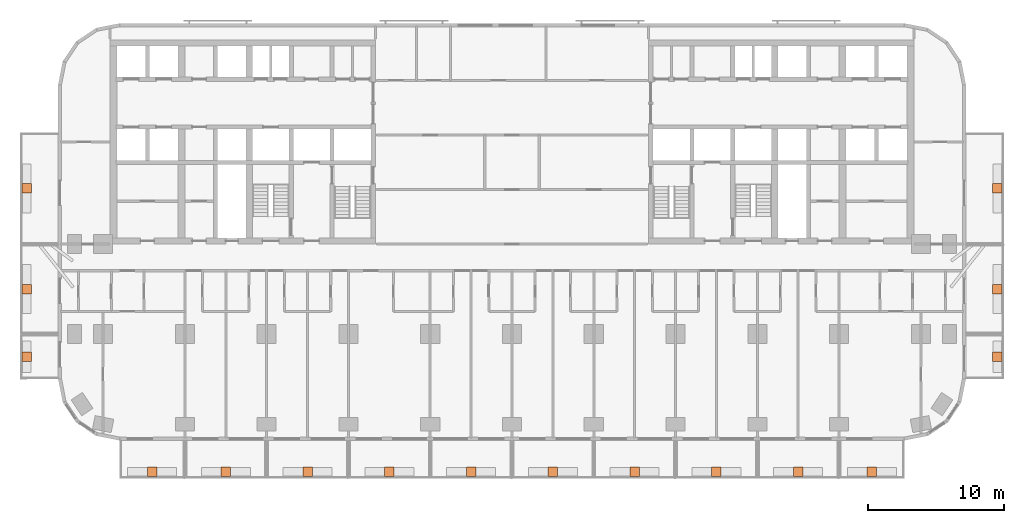
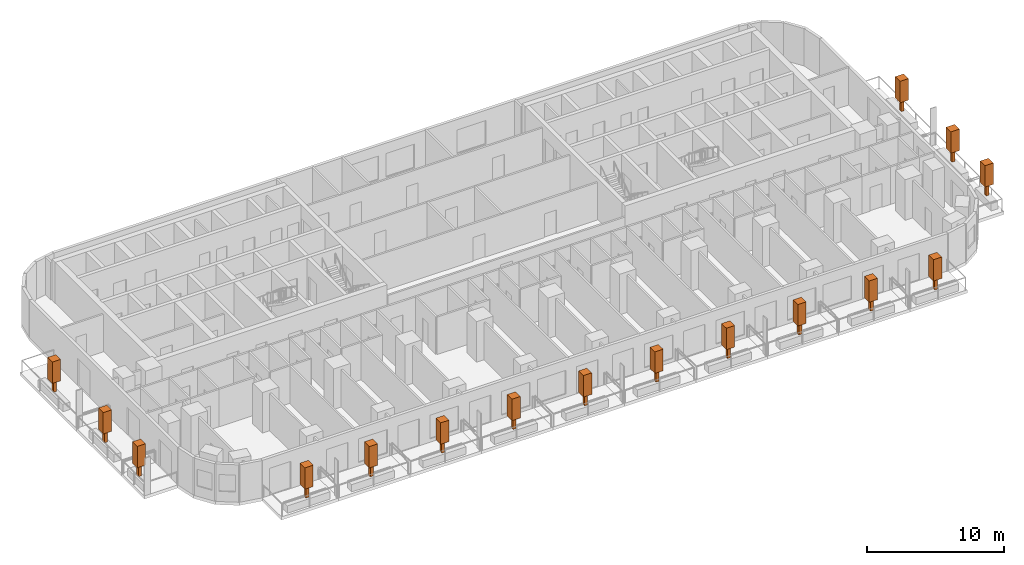
# One storey, part 15 of 15: 16 geographic elements.
"""IFC4 building model written with IfcOpenShell, lengths in metres."""

from ifc_helpers import new_model, si_unit, direction, frame, origin, origin_2d, place, context, subcontext, project, spatial, rectangle, extrude, material, element, save


model = new_model("IFC4")

# Units and contexts
model_context = context("Model", 3, precision=1e-05, world=origin(), true_north=direction((0.0, 1.0)))
body_context = subcontext(model_context, "Body", "Model", "MODEL_VIEW")
ifc_project = project(units=[si_unit("LENGTHUNIT", "METRE"), si_unit("AREAUNIT", "SQUARE_METRE"), si_unit("VOLUMEUNIT", "CUBIC_METRE"), si_unit("PLANEANGLEUNIT", "RADIAN"), si_unit("MASSUNIT", "GRAM", prefix="KILO")], contexts=[model_context])

# Site, building, storey
site_placement = place(None, origin())
site = spatial("IfcSite", under=ifc_project, at=site_placement, CompositionType="ELEMENT")
building_placement = place(site_placement, origin())
building = spatial("IfcBuilding", under=site, at=building_placement, Name="Torana Hotel and Residences", CompositionType="ELEMENT")
storey_placement = place(building_placement, frame((0.0, 0.0, 24.0)))
storey = spatial("IfcBuildingStorey", under=building, at=storey_placement, Name="L04", CompositionType="ELEMENT", Elevation=24.0)

# Geographic elements
ifc_material = material(Name="Foliage", Category="planting")
for number, where, z_axis, x_axis, name in (
    (1, (-26.39990234375, -31.699951171875, 0.64990234375), (0.0, 0.0, 1.0), (1.0, 0.0, 0.0), "Tree 01"),
    (2, (-21.0, -31.699951171875, 0.64990234375), (0.0, 0.0, 1.0), (1.0, 0.0, 0.0), "Tree 02"),
    (3, (-15.0, -31.699951171875, 0.64990234375), (0.0, 0.0, 1.0), (1.0, 0.0, 0.0), "Tree 03"),
    (4, (-9.0, -31.699951171875, 0.64990234375), (0.0, 0.0, 1.0), (1.0, 0.0, 0.0), "Tree 04"),
    (5, (-3.0, -31.699951171875, 0.64990234375), (0.0, 0.0, 1.0), (1.0, 0.0, 0.0), "Tree 05"),
    (6, (3.0, -31.699951171875, 0.64990234375), (0.0, 0.0, 1.0), (1.0, 0.0, 0.0), "Tree 06"),
    (7, (9.0, -31.699951171875, 0.64990234375), (0.0, 0.0, 1.0), (1.0, 0.0, 0.0), "Tree 07"),
    (8, (15.0, -31.699951171875, 0.64990234375), (0.0, 0.0, 1.0), (1.0, 0.0, 0.0), "Tree 08"),
    (9, (21.0, -31.699951171875, 0.64990234375), (0.0, 0.0, 1.0), (1.0, 0.0, 0.0), "Tree 09"),
    (10, (26.39990234375, -31.699951171875, 0.64990234375), (0.0, 0.0, 1.0), (1.0, 0.0, 0.0), "Tree 10"),
    (11, (-35.60009765625, -23.25, 0.64990234375), (0.0, 0.0, 1.0), (1.0, 0.0, 0.0), "Tree 11"),
    (12, (-35.60009765625, -18.300048828125, 0.64990234375), (0.0, 0.0, 1.0), (1.0, 0.0, 0.0), "Tree 12"),
    (13, (-35.60009765625, -10.89990234375, 0.64990234375), (0.0, 0.0, 1.0), (1.0, 0.0, 0.0), "Tree 13"),
    (14, (35.60009765625, -23.25, 0.64990234375), (0.0, 0.0, 1.0), (1.0, 0.0, 0.0), "Tree 14"),
    (15, (35.60009765625, -18.300048828125, 0.64990234375), (0.0, 0.0, 1.0), (1.0, 0.0, 0.0), "Tree 15"),
    (16, (35.60009765625, -10.89990234375, 0.64990234375), (0.0, 0.0, 1.0), (1.0, 0.0, 0.0), "Tree 16"),
):
    element("IfcGeographicElement", number, at=place(storey_placement, frame(where, z_axis=z_axis, x_axis=x_axis)), inside=storey, material=ifc_material, Name=name, ObjectType="TREE", PredefinedType="USERDEFINED", context=body_context, shape_type="SweptSolid", body=[
        extrude(rectangle(XDim=0.25, YDim=0.25, at=origin_2d()), origin(), (0.0, 0.0, 1.0), 1.0),
        extrude(rectangle(XDim=0.699951171875, YDim=0.699951171875, at=origin_2d()), frame((0.0, 0.0, 1.000244140625)), (0.0, 0.0, 1.0), 1.89990234375),
    ])

save(model, "model.ifc")
